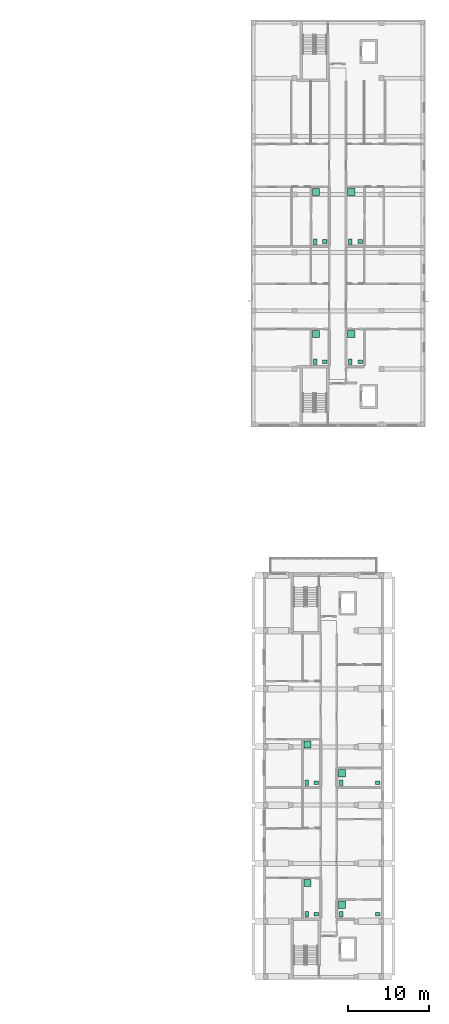
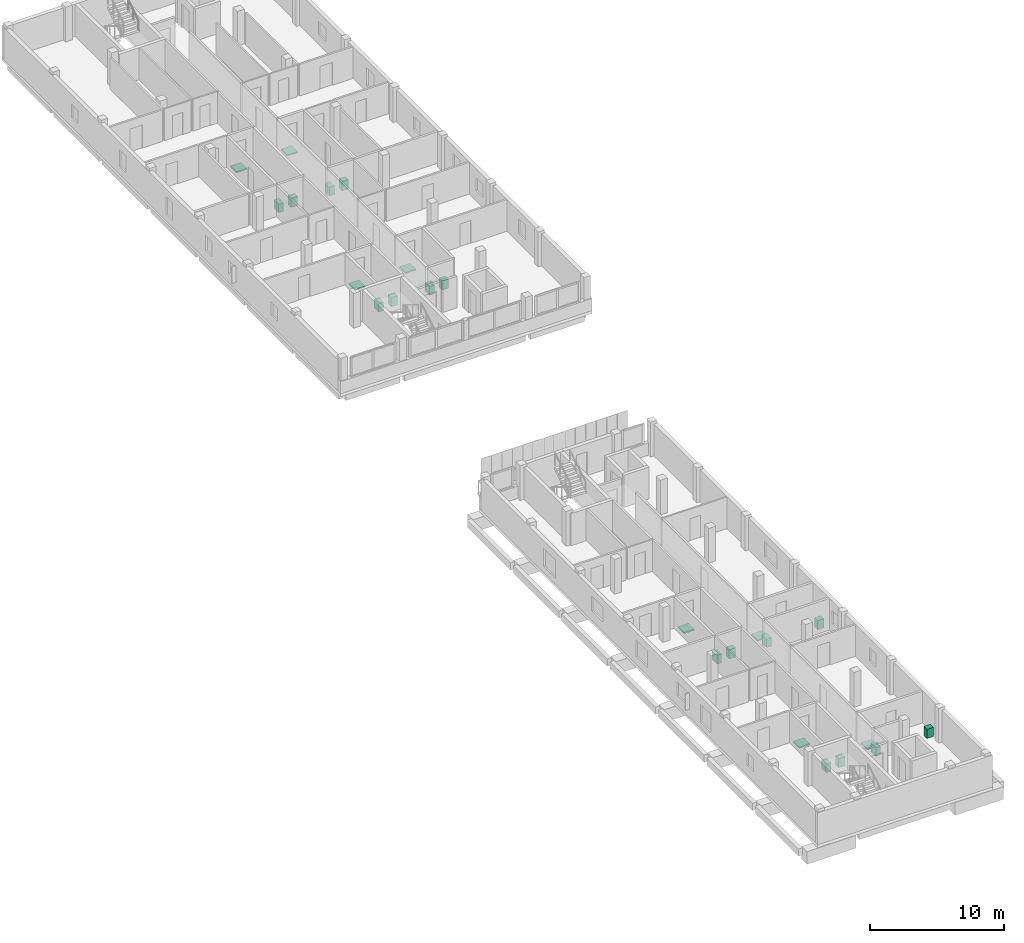
# One storey, part 38 of 38: 24 sanitary terminals.
"""IFC4 building model written with IfcOpenShell, lengths in metres."""

from ifc_helpers import new_model, si_unit, derived_unit, direction, frame, origin, origin_2d, place, context, subcontext, project, spatial, rectangle, extrude, material, type_object, element, save


model = new_model("IFC4")

# Units and contexts
model_context = context("Model", 3, precision=1e-05, world=origin(), true_north=direction((0.0, 1.0)))
body_context = subcontext(model_context, "Body", "Model", "MODEL_VIEW")
ifc_project = project(units=[si_unit("LENGTHUNIT", "METRE"), si_unit("AREAUNIT", "SQUARE_METRE"), si_unit("VOLUMEUNIT", "CUBIC_METRE"), si_unit("PLANEANGLEUNIT", "RADIAN"), si_unit("MASSUNIT", "GRAM", prefix="KILO"), derived_unit("THERMALTRANSMITTANCEUNIT", [(si_unit("MASSUNIT", "GRAM", prefix="KILO"), 1), (si_unit("TIMEUNIT", "SECOND"), -3), (si_unit("THERMODYNAMICTEMPERATUREUNIT", "KELVIN"), -1)])], contexts=[model_context])

# Site, building, storey
site_placement = place(None, origin())
site = spatial("IfcSite", under=ifc_project, at=site_placement, CompositionType="ELEMENT")
building_placement = place(site_placement, origin())
building = spatial("IfcBuilding", under=site, at=building_placement, Name="Ochrekiln Boulevard Commons", CompositionType="ELEMENT")
storey_placement = place(building_placement, frame((0.0, 0.0, 24.675048828125)))
storey = spatial("IfcBuildingStorey", under=building, at=storey_placement, Name="L07", CompositionType="ELEMENT", Elevation=24.675048828125)

# Sanitary terminals
ifc_material = material(Name="Vitreous china sanitaryware")
sanitary_terminal_type_1 = type_object("IfcSanitaryTerminalType", Name="SAN-BAS", PredefinedType="WASHHANDBASIN", material=ifc_material)
for number, where, z_axis, x_axis, name in (
    (1, (160.3701171875, 76.5, 0.0), (0.0, 0.0, 1.0), (1.0, 0.0, 0.0), "L07 Washhand Basin Fixture"),
    (2, (160.3701171875, 91.3740234375, 0.0), (0.0, 0.0, 1.0), (1.0, 0.0, 0.0), "L07 Washhand Basin Fixture"),
    (3, (164.72998046875, 76.5, 0.0), (0.0, 0.0, 1.0), (1.0, 0.0, 0.0), "L07 Washhand Basin Fixture"),
    (4, (164.72998046875, 91.3740234375, 0.0), (0.0, 0.0, 1.0), (1.0, 0.0, 0.0), "L07 Washhand Basin Fixture"),
    (5, (159.320068359375, 8.10009765625, 0.0), (0.0, 0.0, 1.0), (1.0, 0.0, 0.0), "L07 Washhand Basin Fixture"),
    (6, (159.320068359375, 24.382080078125, 0.0), (0.0, 0.0, 1.0), (1.0, 0.0, 0.0), "L07 Washhand Basin Fixture"),
    (7, (166.89990234375, 8.10009765625, 0.0), (0.0, 0.0, 1.0), (1.0, 0.0, 0.0), "L07 Washhand Basin Fixture"),
    (8, (166.89990234375, 24.382080078125, 0.0), (0.0, 0.0, 1.0), (1.0, 0.0, 0.0), "L07 Washhand Basin Fixture"),
):
    element("IfcSanitaryTerminal", number, at=place(storey_placement, frame(where, z_axis=z_axis, x_axis=x_axis)), inside=storey, type_object=sanitary_terminal_type_1, Name=name, PredefinedType="WASHHANDBASIN", context=body_context, shape_type="SweptSolid", body=[
        extrude(rectangle(XDim=0.550048828125, YDim=0.4599609375, at=origin_2d()), origin(), (0.0, 0.0, 1.0), 0.840087890625),
    ])
sanitary_terminal_type_2 = type_object("IfcSanitaryTerminalType", Name="SAN-SHW", PredefinedType="SHOWER", material=ifc_material)
for number, where, z_axis, x_axis, name in (
    (9, (159.27001953125, 79.925048828125, 0.0), (0.0, 0.0, 1.0), (1.0, 0.0, 0.0), "L07 Shower Receptor"),
    (10, (159.27001953125, 97.52001953125, 0.0), (0.0, 0.0, 1.0), (1.0, 0.0, 0.0), "L07 Shower Receptor"),
    (11, (163.6298828125, 79.925048828125, 0.0), (0.0, 0.0, 1.0), (1.0, 0.0, 0.0), "L07 Shower Receptor"),
    (12, (163.6298828125, 97.52001953125, 0.0), (0.0, 0.0, 1.0), (1.0, 0.0, 0.0), "L07 Shower Receptor"),
    (13, (158.219970703125, 11.9619140625, 0.0), (0.0, 0.0, 1.0), (1.0, 0.0, 0.0), "L07 Shower Receptor"),
    (14, (158.219970703125, 29.116943359375, 0.0), (0.0, 0.0, 1.0), (1.0, 0.0, 0.0), "L07 Shower Receptor"),
    (15, (162.47998046875, 9.27001953125, 0.0), (0.0, 0.0, 1.0), (1.0, 0.0, 0.0), "L07 Shower Receptor"),
    (16, (162.47998046875, 25.552001953125, 0.0), (0.0, 0.0, 1.0), (1.0, 0.0, 0.0), "L07 Shower Receptor"),
):
    element("IfcSanitaryTerminal", number, at=place(storey_placement, frame(where, z_axis=z_axis, x_axis=x_axis)), inside=storey, type_object=sanitary_terminal_type_2, Name=name, PredefinedType="SHOWER", context=body_context, shape_type="SweptSolid", body=[
        extrude(rectangle(XDim=0.89990234375, YDim=0.89990234375, at=origin_2d()), origin(), (0.0, 0.0, 1.0), 0.1201171875),
    ])
sanitary_terminal_type_3 = type_object("IfcSanitaryTerminalType", Name="SAN-WC", PredefinedType="TOILETPAN", material=ifc_material)
for number, where, z_axis, x_axis, name in (
    (17, (159.169921875, 76.5, 0.0), (0.0, 0.0, 1.0), (1.0, 0.0, 0.0), "L07 Water Closet Fixture"),
    (18, (159.169921875, 91.3740234375, 0.0), (0.0, 0.0, 1.0), (1.0, 0.0, 0.0), "L07 Water Closet Fixture"),
    (19, (163.530029296875, 76.5, 0.0), (0.0, 0.0, 1.0), (1.0, 0.0, 0.0), "L07 Water Closet Fixture"),
    (20, (163.530029296875, 91.3740234375, 0.0), (0.0, 0.0, 1.0), (1.0, 0.0, 0.0), "L07 Water Closet Fixture"),
    (21, (158.1201171875, 8.10009765625, 0.0), (0.0, 0.0, 1.0), (1.0, 0.0, 0.0), "L07 Water Closet Fixture"),
    (22, (158.1201171875, 24.382080078125, 0.0), (0.0, 0.0, 1.0), (1.0, 0.0, 0.0), "L07 Water Closet Fixture"),
    (23, (162.3798828125, 8.10009765625, 0.0), (0.0, 0.0, 1.0), (1.0, 0.0, 0.0), "L07 Water Closet Fixture"),
    (24, (162.3798828125, 24.382080078125, 0.0), (0.0, 0.0, 1.0), (1.0, 0.0, 0.0), "L07 Water Closet Fixture"),
):
    element("IfcSanitaryTerminal", number, at=place(storey_placement, frame(where, z_axis=z_axis, x_axis=x_axis)), inside=storey, type_object=sanitary_terminal_type_3, Name=name, PredefinedType="TOILETPAN", context=body_context, shape_type="SweptSolid", body=[
        extrude(rectangle(XDim=0.419921875, YDim=0.679931640625, at=origin_2d()), origin(), (0.0, 0.0, 1.0), 0.780029296875),
    ])

save(model, "model.ifc")
